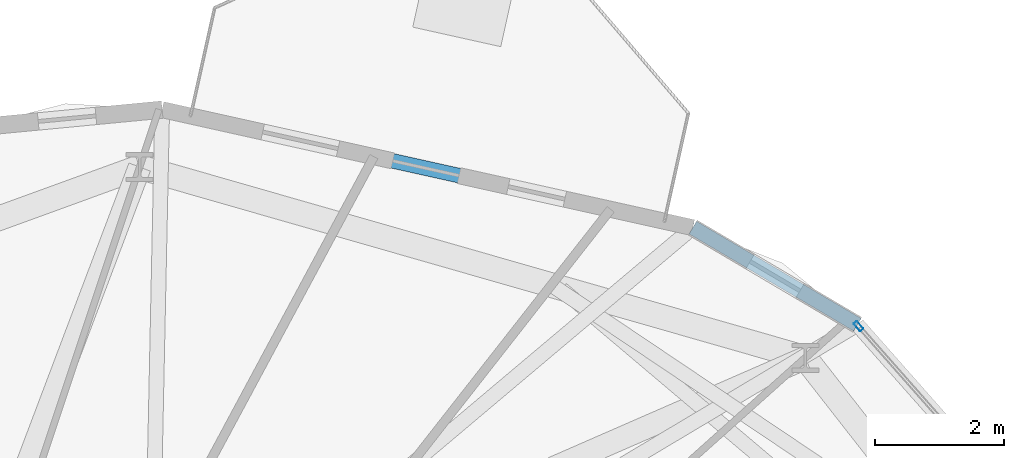
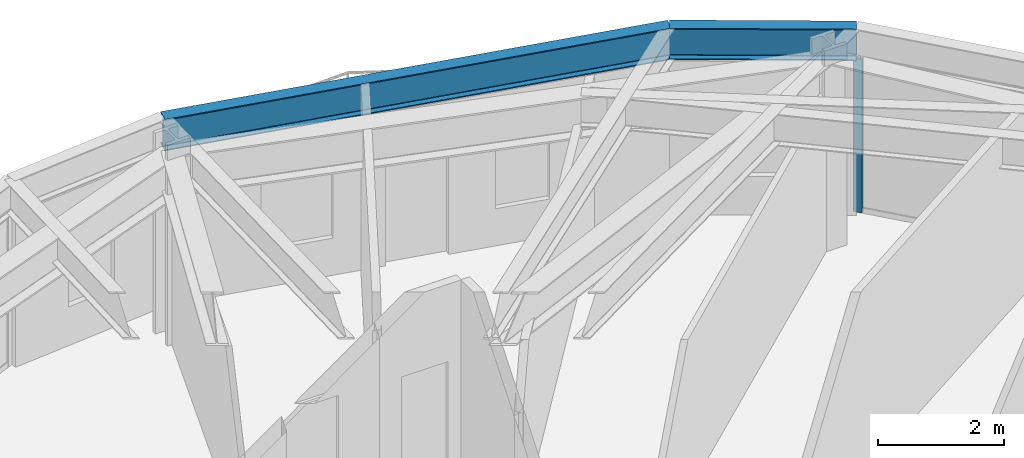
# One storey, part 16 of 23: 2 beams, 1 member, 1 element without a shape of its own.
"""IFC4 building model written with IfcOpenShell, lengths in metres."""

from ifc_helpers import new_model, si_unit, direction, frame, origin, origin_2d, place, context, subcontext, project, spatial, hollow_rectangle, i_section, extrude, material, layer, layer_set, material_profile, profile_set, type_object, element, aggregate, save


model = new_model("IFC4")

# Units and contexts
model_context = context("Model", 3, precision=1e-05, world=origin(), true_north=direction((0.0, 1.0)))
body_context = subcontext(model_context, "Body", "Model", "MODEL_VIEW")
ifc_project = project(units=[si_unit("LENGTHUNIT", "METRE"), si_unit("AREAUNIT", "SQUARE_METRE"), si_unit("VOLUMEUNIT", "CUBIC_METRE"), si_unit("PLANEANGLEUNIT", "RADIAN"), si_unit("MASSUNIT", "GRAM", prefix="KILO")], contexts=[model_context])

# Site, building, storey
site_placement = place(None, origin())
site = spatial("IfcSite", under=ifc_project, at=site_placement, CompositionType="ELEMENT")
building_placement = place(site_placement, origin())
building = spatial("IfcBuilding", under=site, at=building_placement, Name="Soratama Intermodal Tower", CompositionType="ELEMENT")
storey_placement = place(building_placement, frame((0.0, 0.0, 118.60009765625)))
storey = spatial("IfcBuildingStorey", under=building, at=storey_placement, Name="L28", CompositionType="ELEMENT", Elevation=118.60009765625)

# Beams
ifc_material_1 = material(Name="Structural steel ASTM A992 Grade 50", Category="steel")
ifc_material_profile_1 = material_profile(ifc_material_1, i_section(OverallWidth=0.22900390625, OverallDepth=0.612060546875, WebThickness=0.011962890625, FlangeThickness=0.01953125, FilletRadius=0.012939453125, at=origin_2d()), Name="W24X84")
ifc_profile_set_1 = profile_set([ifc_material_profile_1], Name="Structural steel ASTM A992 Grade 50")
beam_type = type_object("IfcBeamType", Name="BM-SPN-W24X84", PredefinedType="SPANDREL", material=ifc_profile_set_1)
beam_1_placement = place(storey_placement, frame((55.5380859375, 39.94189453125, 3.2939453125), z_axis=(-0.861339124971, 0.508030424083, 0.0), x_axis=(-0.508030424083, -0.861339124971, 0.0)))
element("IfcBeam", 1, at=beam_1_placement, inside=storey, type_object=beam_type, Name="BS-L28-CRN01", PredefinedType="SPANDREL", context=body_context, shape_type="SweptSolid", body=[
    extrude(i_section(OverallWidth=0.22900390625, OverallDepth=0.612060546875, WebThickness=0.011962890625, FlangeThickness=0.01953125, FilletRadius=0.012939453125, at=origin_2d()), origin(), (0.0, 0.0, 1.0), 2.966552734375),
])
beam_2_placement = place(storey_placement, frame((52.98291015625, 41.448974609375, 3.2939453125), z_axis=(-0.976139400755, 0.217144814105, 0.0), x_axis=(-0.217144814105, -0.976139400755, 0.0)))
element("IfcBeam", 2, at=beam_2_placement, inside=storey, type_object=beam_type, Name="BS-L28-F02", PredefinedType="SPANDREL", context=body_context, shape_type="SweptSolid", body=[
    extrude(i_section(OverallWidth=0.22900390625, OverallDepth=0.612060546875, WebThickness=0.011962890625, FlangeThickness=0.01953125, FilletRadius=0.012939453125, at=origin_2d()), origin(), (0.0, 0.0, 1.0), 8.44140625),
])

# Curtain wall, member
ifc_material_2 = material(Name="Double-glazed aluminium curtain wall", Category="aluminium")
ifc_layer = layer(ifc_material_2, 0.159912109375)
ifc_layer_set = layer_set([ifc_layer], Name="Double-glazed aluminium curtain wall")
curtain_wall_type = type_object("IfcCurtainWallType", Name="CW-SYS-3", PredefinedType="NOTDEFINED", material=ifc_layer_set)
curtain_wall_placement = place(storey_placement, origin())
curtain_wall = element("IfcCurtainWall", 3, at=curtain_wall_placement, inside=storey, type_object=curtain_wall_type, Name="L28 Faceted Curtain Wall F01", PredefinedType="NOTDEFINED")
ifc_material_3 = material(Name="Anodised aluminium AA 6063-T6", Category="aluminium")
ifc_material_profile_2 = material_profile(ifc_material_3, hollow_rectangle(XDim=0.070068359375, YDim=0.159912109375, WallThickness=0.0048828125, InnerFilletRadius=0.0048828125, OuterFilletRadius=0.010009765625, at=origin_2d()), Name="CWM160X70X5")
ifc_profile_set_2 = profile_set([ifc_material_profile_2], Name="Anodised aluminium AA 6063-T6")
member_type = type_object("IfcMemberType", Name="MT-CWM-3", PredefinedType="MULLION", material=ifc_profile_set_2)
member_placement = place(storey_placement, frame((55.557373046875, 39.919189453125, 0.0), z_axis=(0.0, 0.0, 1.0), x_axis=(-0.749417662671, -0.662097550877, 0.0)))
member = element("IfcMember", 4, at=member_placement, type_object=member_type, Name="CW-3 mullion 2", PredefinedType="MULLION", context=body_context, shape_type="SweptSolid", body=[
    extrude(hollow_rectangle(XDim=0.070068359375, YDim=0.159912109375, WallThickness=0.0048828125, InnerFilletRadius=0.0048828125, OuterFilletRadius=0.010009765625, at=origin_2d()), origin(), (0.0, 0.0, 1.0), 2.97900390625),
])
aggregate(curtain_wall, [member])

save(model, "model.ifc")
